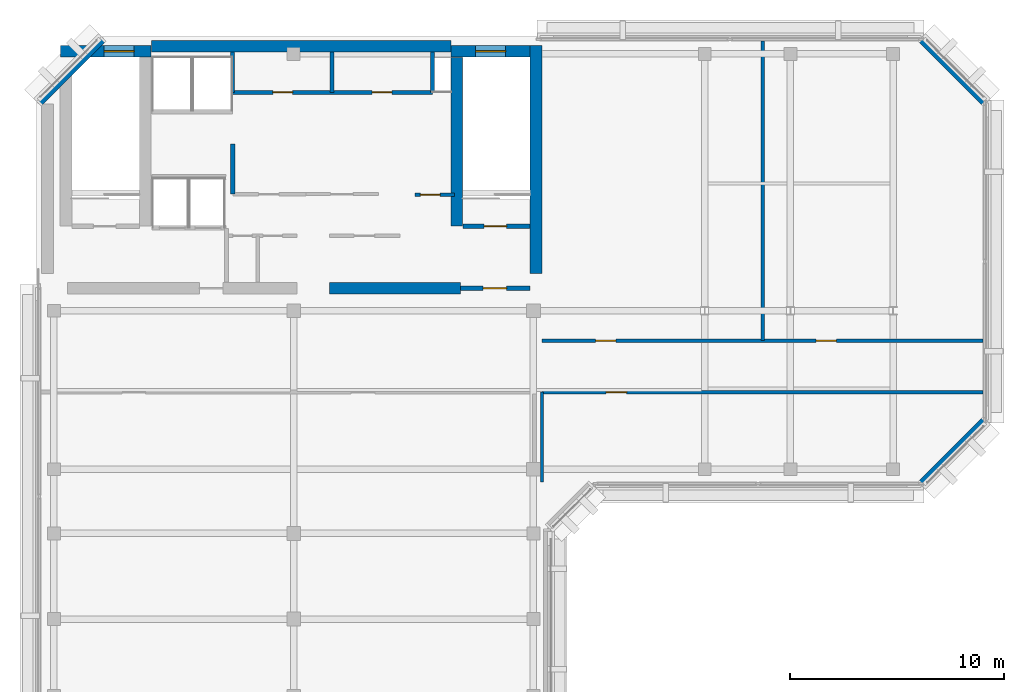
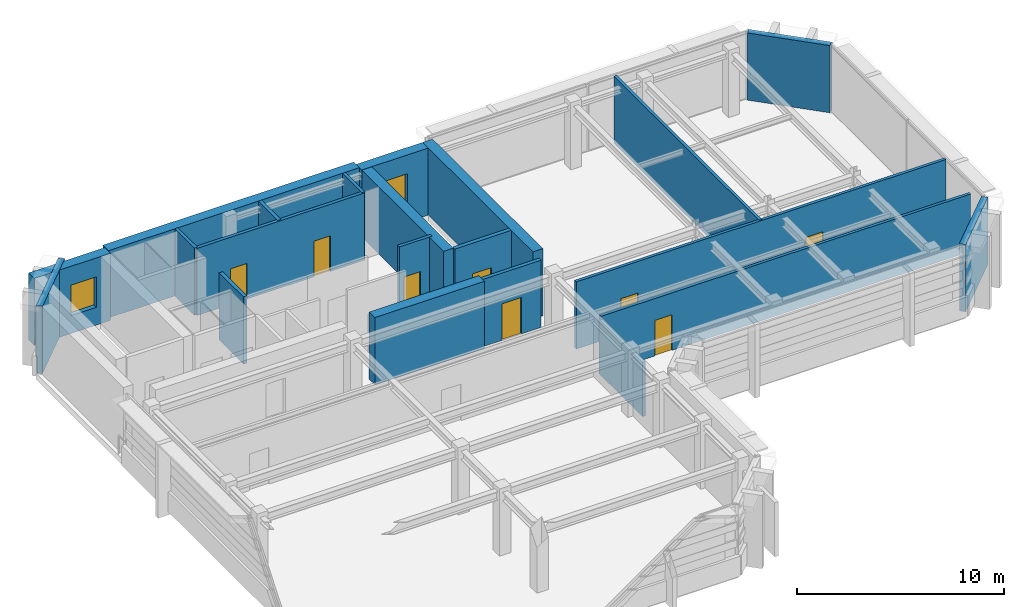
# One storey, part 5 of 7: 21 walls, 8 doors, 2 windows, 10 openings.
"""IFC4 building model written with IfcOpenShell, lengths in metres."""

from ifc_helpers import new_model, si_unit, direction, frame, frame_2d, origin, place, context, subcontext, project, spatial, rectangle, extrude, material, layer, layer_set, type_object, element, fill, save


model = new_model("IFC4")

# Units and contexts
model_context = context("Model", 3, precision=1e-05, world=origin(), true_north=direction((0.0, 1.0)))
body_context = subcontext(model_context, "Body", "Model", "MODEL_VIEW")
ifc_project = project(units=[si_unit("LENGTHUNIT", "METRE"), si_unit("AREAUNIT", "SQUARE_METRE"), si_unit("VOLUMEUNIT", "CUBIC_METRE"), si_unit("PLANEANGLEUNIT", "RADIAN"), si_unit("MASSUNIT", "GRAM", prefix="KILO")], contexts=[model_context])

# Site, building, storey
site_placement = place(None, origin())
site = spatial("IfcSite", under=ifc_project, at=site_placement, CompositionType="ELEMENT")
building_placement = place(site_placement, origin())
building = spatial("IfcBuilding", under=site, at=building_placement, Name="Kefirva Bronze Tower", CompositionType="ELEMENT")
storey_placement = place(building_placement, frame((0.0, 0.0, 369.929931640625)))
storey = spatial("IfcBuildingStorey", under=building, at=storey_placement, Name="L90", CompositionType="ELEMENT", Elevation=369.929931640625)

# Wall, opening, door
ifc_material_1 = material(Name="Gypsum fireboard shaftwall")
ifc_layer_1 = layer(ifc_material_1, 0.219970703125, Name="Gypsum fireboard shaftwall")
ifc_layer_set_1 = layer_set([ifc_layer_1], Name="Gypsum fireboard shaftwall")
wall_type_1 = type_object("IfcWallType", Name="Fire-Rated Shaft Enclosure Wall 220mm", PredefinedType="PARTITIONING", material=ifc_layer_set_1)
wall_1_placement = place(storey_placement, frame((19.89990234375, 37.14990234375, 0.0), z_axis=(0.0, 0.0, 1.0), x_axis=(1.0, 0.0, 0.0)))
wall_1 = element("IfcWall", 1, at=wall_1_placement, inside=storey, type_object=wall_type_1, Name="L90 Partition W-L90-ST2S", PredefinedType="PARTITIONING", context=body_context, shape_type="SweptSolid", body=[
    extrude(rectangle(XDim=3.150146484375, YDim=0.219970703125, at=frame_2d((1.5751953125, 0.0))), origin(), (0.0, 0.0, 1.0), 3.9599609375),
])
opening_1_placement = place(wall_1_placement, frame((2.050048828125, 0.0, 0.0), z_axis=(0.0, 0.0, 1.0), x_axis=(-1.0, 0.0, 0.0)))
opening_1 = element("IfcOpeningElement", 2, at=opening_1_placement, cuts=wall_1, Name="Opening L90-D003", PredefinedType="OPENING", context=body_context, shape_type="SweptSolid", body=[
    extrude(rectangle(XDim=1.050048828125, YDim=2.14990234375, at=frame_2d((0.52490234375, 1.074951171875))), frame((0.0, 0.1201171875, 0.0), z_axis=(0.0, -1.0, 0.0), x_axis=(1.0, 0.0, 0.0)), (0.0, 0.0, 1.0), 0.239990234375),
])
ifc_material_2 = material(Name="Painted galvanized steel", Category="steel")
door_type_1 = type_object("IfcDoorType", Name="Fire Stair Enclosure Door 1050x2150 FD90S", OperationType="NOTDEFINED", PredefinedType="DOOR", material=ifc_material_2)
door_1_placement = place(opening_1_placement, origin())
door_1 = element("IfcDoor", 3, at=door_1_placement, inside=storey, type_object=door_type_1, Name="Door L90-D003", OperationType="SINGLE_SWING_RIGHT", OverallHeight=2.14990234375, OverallWidth=1.050048828125, PredefinedType="DOOR", context=body_context, shape_type="SweptSolid", body=[
    extrude(rectangle(XDim=1.050048828125, YDim=2.14990234375, at=frame_2d((0.52490234375, 1.074951171875))), frame((0.0, 0.02490234375, 0.0), z_axis=(0.0, -1.0, 0.0), x_axis=(1.0, 0.0, 0.0)), (0.0, 0.0, 1.0), 0.050048828125),
])
fill(opening_1, door_1)

# Wall
wall_2_placement = place(storey_placement, frame((9.159912109375, 38.64990234375, 0.0), z_axis=(0.0, 0.0, 1.0), x_axis=(0.0, 1.0, 0.0)))
element("IfcWall", 4, at=wall_2_placement, inside=storey, type_object=wall_type_1, Name="L90 Partition W-L90-LP3W", PredefinedType="PARTITIONING", context=body_context, shape_type="SweptSolid", body=[
    extrude(rectangle(XDim=2.35009765625, YDim=0.199951171875, at=frame_2d((1.175048828125, 0.0))), origin(), (0.0, 0.0, 1.0), 3.9599609375),
])

# Wall, opening, door
ifc_material_3 = material(Name="Gypsum fireboard barrier")
ifc_layer_2 = layer(ifc_material_3, 0.199951171875, Name="Gypsum fireboard barrier")
ifc_layer_set_2 = layer_set([ifc_layer_2], Name="Gypsum fireboard barrier")
wall_type_2 = type_object("IfcWallType", Name="Firefighting Lobby Barrier Wall 200mm", PredefinedType="PARTITIONING", material=ifc_layer_set_2)
wall_3_placement = place(storey_placement, frame((19.800048828125, 34.25, 0.0), z_axis=(0.0, 0.0, 1.0), x_axis=(1.0, 0.0, 0.0)))
wall_3 = element("IfcWall", 5, at=wall_3_placement, inside=storey, type_object=wall_type_2, Name="L90 Partition W-L90-ST2F", PredefinedType="PARTITIONING", context=body_context, shape_type="SweptSolid", body=[
    extrude(rectangle(XDim=3.25, YDim=0.199951171875, at=frame_2d((1.625, 0.0))), origin(), (0.0, 0.0, 1.0), 3.9599609375),
])
opening_2_placement = place(wall_3_placement, frame((2.150146484375, 0.0, 0.0), z_axis=(0.0, 0.0, 1.0), x_axis=(-1.0, 0.0, 0.0)))
opening_2 = element("IfcOpeningElement", 6, at=opening_2_placement, cuts=wall_3, Name="Opening L90-D004", PredefinedType="OPENING", context=body_context, shape_type="SweptSolid", body=[
    extrude(rectangle(XDim=1.10009765625, YDim=2.14990234375, at=frame_2d((0.550048828125, 1.074951171875))), frame((0.0, 0.10986328125, 0.0), z_axis=(0.0, -1.0, 0.0), x_axis=(1.0, 0.0, 0.0)), (0.0, 0.0, 1.0), 0.219970703125),
])
door_type_2 = type_object("IfcDoorType", Name="Firefighting Lobby Smoke Door 1100x2150 FD60S", OperationType="NOTDEFINED", PredefinedType="DOOR", material=ifc_material_2)
door_2_placement = place(opening_2_placement, origin())
door_2 = element("IfcDoor", 7, at=door_2_placement, inside=storey, type_object=door_type_2, Name="Door L90-D004", OperationType="SINGLE_SWING_LEFT", OverallHeight=2.14990234375, OverallWidth=1.10009765625, PredefinedType="DOOR", context=body_context, shape_type="SweptSolid", body=[
    extrude(rectangle(XDim=1.10009765625, YDim=2.14990234375, at=frame_2d((0.550048828125, 1.074951171875))), frame((0.0, 0.02490234375, 0.0), z_axis=(0.0, -1.0, 0.0), x_axis=(1.0, 0.0, 0.0)), (0.0, 0.0, 1.0), 0.050048828125),
])
fill(opening_2, door_2)

wall_4_placement = place(storey_placement, frame((17.679931640625, 38.6201171875, 0.0), z_axis=(0.0, 0.0, 1.0), x_axis=(1.0, 0.0, 0.0)))
wall_4 = element("IfcWall", 8, at=wall_4_placement, inside=storey, type_object=wall_type_2, Name="L90 Partition W-L90-CPASS", PredefinedType="PARTITIONING", context=body_context, shape_type="SweptSolid", body=[
    extrude(rectangle(XDim=1.840087890625, YDim=0.179931640625, at=frame_2d((0.919921875, 0.0))), origin(), (0.0, 0.0, 1.0), 3.9599609375),
])
opening_3_placement = place(wall_4_placement, frame((0.239990234375, 0.0, 0.0)))
opening_3 = element("IfcOpeningElement", 9, at=opening_3_placement, cuts=wall_4, Name="Opening L90-D-CPAS", PredefinedType="OPENING", context=body_context, shape_type="SweptSolid", body=[
    extrude(rectangle(XDim=0.919921875, YDim=2.10009765625, at=frame_2d((0.4599609375, 1.050048828125))), frame((0.0, 0.10009765625, 0.0), z_axis=(0.0, -1.0, 0.0), x_axis=(1.0, 0.0, 0.0)), (0.0, 0.0, 1.0), 0.199951171875),
])
ifc_material_4 = material(Name="Moisture-resistant timber", Category="wood")
door_type_3 = type_object("IfcDoorType", Name="Accessible Sanitary & WC Door 920x2100", OperationType="NOTDEFINED", PredefinedType="DOOR", material=ifc_material_4)
door_3_placement = place(opening_3_placement, origin())
door_3 = element("IfcDoor", 10, at=door_3_placement, inside=storey, type_object=door_type_3, Name="Door L90-D-CPAS", OperationType="SINGLE_SWING_RIGHT", OverallHeight=2.10009765625, OverallWidth=0.919921875, PredefinedType="DOOR", context=body_context, shape_type="SweptSolid", body=[
    extrude(rectangle(XDim=0.919921875, YDim=2.10009765625, at=frame_2d((0.4599609375, 1.050048828125))), frame((0.0, 0.02490234375, 0.0), z_axis=(0.0, -1.0, 0.0), x_axis=(1.0, 0.0, 0.0)), (0.0, 0.0, 1.0), 0.050048828125),
])
fill(opening_3, door_3)

# Walls
ifc_material_5 = material(Name="Precast concrete C40/50", Category="concrete")
ifc_layer_3 = layer(ifc_material_5, 0.320068359375, Name="Precast concrete C40/50")
ifc_layer_set_3 = layer_set([ifc_layer_3], Name="Precast concrete C40/50")
wall_type_3 = type_object("IfcWallType", Name="Precast Insulated Exterior Wall 320mm", PredefinedType="SOLIDWALL", material=ifc_layer_set_3)
for number, where, z_axis, x_axis, name in (
    (11, (41.32568359375, 25.152099609375, 0.0), (0.0, 0.0, 1.0), (0.707136318428, 0.707077242712, 0.0), "L90 Exterior Facade Wall 4"),
    (12, (44.248046875, 42.92578125, 0.0), (0.0, 0.0, 1.0), (-0.707136318428, 0.707077242712, 0.0), "L90 Exterior Facade Wall 5"),
    (13, (3.07421875, 45.847900390625, 0.0), (0.0, 0.0, 1.0), (-0.707106781187, -0.707106781187, 0.0), "L90 Exterior Facade Wall 6"),
):
    element("IfcWall", number, at=place(storey_placement, frame(where, z_axis=z_axis, x_axis=x_axis)), inside=storey, type_object=wall_type_3, Name=name, PredefinedType="SOLIDWALL", context=body_context, shape_type="SweptSolid", body=[
        extrude(rectangle(XDim=4.132568359375, YDim=0.320068359375, at=frame_2d((2.06640625, 0.0))), origin(), (0.0, 0.0, 1.0), 3.9599609375),
    ])

# Wall, openings, doors
ifc_material_6 = material(Name="Gypsum acoustic partition")
ifc_layer_4 = layer(ifc_material_6, 0.159912109375, Name="Gypsum acoustic partition")
ifc_layer_set_4 = layer_set([ifc_layer_4], Name="Gypsum acoustic partition")
wall_type_4 = type_object("IfcWallType", Name="Protected Corridor Partition 160mm", PredefinedType="PARTITIONING", material=ifc_layer_set_4)
wall_5_placement = place(storey_placement, frame((23.60009765625, 31.800048828125, 0.0), z_axis=(0.0, 0.0, 1.0), x_axis=(1.0, 0.0, 0.0)))
wall_5 = element("IfcWall", 14, at=wall_5_placement, inside=storey, type_object=wall_type_4, Name="L90 Partition W-L90-PLTE", PredefinedType="PARTITIONING", context=body_context, shape_type="SweptSolid", body=[
    extrude(rectangle(XDim=20.60986328125, YDim=0.159912109375, at=frame_2d((10.304931640625, 0.0))), origin(), (0.0, 0.0, 1.0), 3.9599609375),
])
opening_4_placement = place(wall_5_placement, frame((2.5, 0.0, 0.0)))
opening_4 = element("IfcOpeningElement", 15, at=opening_4_placement, cuts=wall_5, Name="Opening L90-D-AHU", PredefinedType="OPENING", context=body_context, shape_type="SweptSolid", body=[
    extrude(rectangle(XDim=0.949951171875, YDim=2.10009765625, at=frame_2d((0.47509765625, 1.050048828125))), frame((0.0, 0.08984375, 0.0), z_axis=(0.0, -1.0, 0.0), x_axis=(1.0, 0.0, 0.0)), (0.0, 0.0, 1.0), 0.179931640625),
])
opening_5_placement = place(wall_5_placement, frame((12.804931640625, 0.0, 0.0)))
opening_5 = element("IfcOpeningElement", 16, at=opening_5_placement, cuts=wall_5, Name="Opening L90-D-ELP", PredefinedType="OPENING", context=body_context, shape_type="SweptSolid", body=[
    extrude(rectangle(XDim=0.949951171875, YDim=2.10009765625, at=frame_2d((0.47509765625, 1.050048828125))), frame((0.0, 0.08984375, 0.0), z_axis=(0.0, -1.0, 0.0), x_axis=(1.0, 0.0, 0.0)), (0.0, 0.0, 1.0), 0.179931640625),
])
door_type_4 = type_object("IfcDoorType", Name="Riser & Plant Shaft Fire Door 950x2100 FD60S", OperationType="NOTDEFINED", PredefinedType="DOOR", material=ifc_material_2)
door_4_placement = place(opening_4_placement, origin())
door_4 = element("IfcDoor", 17, at=door_4_placement, inside=storey, type_object=door_type_4, Name="Door L90-D-AHU", OperationType="SINGLE_SWING_RIGHT", OverallHeight=2.10009765625, OverallWidth=0.949951171875, PredefinedType="DOOR", context=body_context, shape_type="SweptSolid", body=[
    extrude(rectangle(XDim=0.949951171875, YDim=2.10009765625, at=frame_2d((0.47509765625, 1.050048828125))), frame((0.0, 0.02490234375, 0.0), z_axis=(0.0, -1.0, 0.0), x_axis=(1.0, 0.0, 0.0)), (0.0, 0.0, 1.0), 0.050048828125),
])
fill(opening_4, door_4)
door_5_placement = place(opening_5_placement, origin())
door_5 = element("IfcDoor", 18, at=door_5_placement, inside=storey, type_object=door_type_4, Name="Door L90-D-ELP", OperationType="SINGLE_SWING_LEFT", OverallHeight=2.10009765625, OverallWidth=0.949951171875, PredefinedType="DOOR", context=body_context, shape_type="SweptSolid", body=[
    extrude(rectangle(XDim=0.949951171875, YDim=2.10009765625, at=frame_2d((0.47509765625, 1.050048828125))), frame((0.0, 0.02490234375, 0.0), z_axis=(0.0, -1.0, 0.0), x_axis=(1.0, 0.0, 0.0)), (0.0, 0.0, 1.0), 0.050048828125),
])
fill(opening_5, door_5)

# Wall
wall_6_placement = place(storey_placement, frame((33.905029296875, 31.800048828125, 0.0), z_axis=(0.0, 0.0, 1.0), x_axis=(0.0, 1.0, 0.0)))
element("IfcWall", 19, at=wall_6_placement, inside=storey, type_object=wall_type_4, Name="L90 Partition W-L90-PLTDV", PredefinedType="PARTITIONING", context=body_context, shape_type="SweptSolid", body=[
    extrude(rectangle(XDim=14.010009765625, YDim=0.159912109375, at=frame_2d((7.0048828125, 0.0))), origin(), (0.0, 0.0, 1.0), 3.9599609375),
])

# Wall, opening, door
wall_7_placement = place(storey_placement, frame((23.60009765625, 29.39990234375, 0.0), z_axis=(0.0, 0.0, 1.0), x_axis=(1.0, 0.0, 0.0)))
wall_7 = element("IfcWall", 20, at=wall_7_placement, inside=storey, type_object=wall_type_4, Name="L90 Partition W-L90-PLTS", PredefinedType="PARTITIONING", context=body_context, shape_type="SweptSolid", body=[
    extrude(rectangle(XDim=20.60986328125, YDim=0.159912109375, at=frame_2d((10.304931640625, 0.0))), origin(), (0.0, 0.0, 1.0), 3.385009765625),
])
opening_6_placement = place(wall_7_placement, frame((3.0, 0.0, 0.0)))
opening_6 = element("IfcOpeningElement", 21, at=opening_6_placement, cuts=wall_7, Name="Opening L90-D-BMS", PredefinedType="OPENING", context=body_context, shape_type="SweptSolid", body=[
    extrude(rectangle(XDim=0.949951171875, YDim=2.10009765625, at=frame_2d((0.47509765625, 1.050048828125))), frame((0.0, 0.08984375, 0.0), z_axis=(0.0, -1.0, 0.0), x_axis=(1.0, 0.0, 0.0)), (0.0, 0.0, 1.0), 0.179931640625),
])
door_6_placement = place(opening_6_placement, origin())
door_6 = element("IfcDoor", 22, at=door_6_placement, inside=storey, type_object=door_type_4, Name="Door L90-D-BMS", OperationType="SINGLE_SWING_RIGHT", OverallHeight=2.10009765625, OverallWidth=0.949951171875, PredefinedType="DOOR", context=body_context, shape_type="SweptSolid", body=[
    extrude(rectangle(XDim=0.949951171875, YDim=2.10009765625, at=frame_2d((0.47509765625, 1.050048828125))), frame((0.0, 0.02490234375, 0.0), z_axis=(0.0, -1.0, 0.0), x_axis=(1.0, 0.0, 0.0)), (0.0, 0.0, 1.0), 0.050048828125),
])
fill(opening_6, door_6)

# Walls
wall_8_placement = place(storey_placement, frame((23.60009765625, 25.18994140625, 0.0), z_axis=(0.0, 0.0, 1.0), x_axis=(0.0, 1.0, 0.0)))
element("IfcWall", 23, at=wall_8_placement, inside=storey, type_object=wall_type_4, Name="L90 Partition W-L90-PLTSW", PredefinedType="PARTITIONING", context=body_context, shape_type="SweptSolid", body=[
    extrude(rectangle(XDim=4.2099609375, YDim=0.159912109375, at=frame_2d((2.10498046875, 0.0))), origin(), (0.0, 0.0, 1.0), 3.18505859375),
])
ifc_material_7 = material(Name="Concrete C50/60", Category="concrete")
ifc_layer_5 = layer(ifc_material_7, 0.550048828125, Name="Concrete C50/60")
ifc_layer_set_5 = layer_set([ifc_layer_5], Name="Concrete C50/60")
wall_type_5 = type_object("IfcWallType", Name="RC Rear Core Exterior Wall 550mm", PredefinedType="SHEAR", material=ifc_layer_set_5)
wall_9_placement = place(storey_placement, frame((5.360107421875, 45.550048828125, 0.0), z_axis=(0.0, 0.0, 1.0), x_axis=(1.0, 0.0, 0.0)))
element("IfcWall", 24, at=wall_9_placement, inside=storey, type_object=wall_type_5, Name="L90 Rear Core North Shear Wall", PredefinedType="SHEAR", context=body_context, shape_type="SweptSolid", body=[
    extrude(rectangle(XDim=13.97998046875, YDim=0.550048828125, at=frame_2d((6.989990234375, 0.0))), origin(), (0.0, 0.0, 1.0), 3.9599609375),
])

# Wall, opening, window
wall_10_placement = place(storey_placement, frame((1.10009765625, 45.320068359375, 0.0), z_axis=(0.0, 0.0, 1.0), x_axis=(1.0, 0.0, 0.0)))
wall_10 = element("IfcWall", 25, at=wall_10_placement, inside=storey, type_object=wall_type_5, Name="L90 Stair 1 North Shear Wall", PredefinedType="SHEAR", context=body_context, shape_type="SweptSolid", body=[
    extrude(rectangle(XDim=4.239990234375, YDim=0.550048828125, at=frame_2d((2.1201171875, 0.0))), origin(), (0.0, 0.0, 1.0), 3.9599609375),
])
opening_7_placement = place(wall_10_placement, frame((2.050048828125, 0.0, 1.050048828125)))
opening_7 = element("IfcOpeningElement", 26, at=opening_7_placement, cuts=wall_10, Name="Opening WN-03", PredefinedType="OPENING", context=body_context, shape_type="SweptSolid", body=[
    extrude(rectangle(XDim=1.39990234375, YDim=1.800048828125, at=frame_2d((0.699951171875, 0.89990234375))), frame((0.0, 0.28515625, 0.0), z_axis=(0.0, -1.0, 0.0), x_axis=(1.0, 0.0, 0.0)), (0.0, 0.0, 1.0), 0.570068359375),
])
ifc_material_8 = material(Name="Laminated low-E double glazing", Category="glass")
window_type = type_object("IfcWindowType", Name="Rear-Core Stair Daylight Window 1400x1800", PartitioningType="SINGLE_PANEL", PredefinedType="WINDOW", material=ifc_material_8)
window_1_placement = place(opening_7_placement, origin())
window_1 = element("IfcWindow", 27, at=window_1_placement, inside=storey, type_object=window_type, Name="L90 Stair 1 Daylight Window", OverallHeight=1.800048828125, OverallWidth=1.39990234375, PartitioningType="SINGLE_PANEL", PredefinedType="WINDOW", context=body_context, shape_type="SweptSolid", body=[
    extrude(rectangle(XDim=1.39990234375, YDim=1.800048828125, at=frame_2d((0.699951171875, 0.89990234375))), frame((0.0, 0.030029296875, 0.0), z_axis=(0.0, -1.0, 0.0), x_axis=(1.0, 0.0, 0.0)), (0.0, 0.0, 1.0), 0.06005859375),
])
fill(opening_7, window_1)

wall_11_placement = place(storey_placement, frame((19.35009765625, 45.320068359375, 0.0), z_axis=(0.0, 0.0, 1.0), x_axis=(1.0, 0.0, 0.0)))
wall_11 = element("IfcWall", 28, at=wall_11_placement, inside=storey, type_object=wall_type_5, Name="L90 Stair 2 North Shear Wall", PredefinedType="SHEAR", context=body_context, shape_type="SweptSolid", body=[
    extrude(rectangle(XDim=3.68994140625, YDim=0.550048828125, at=frame_2d((1.844970703125, 0.0))), origin(), (0.0, 0.0, 1.0), 3.9599609375),
])
opening_8_placement = place(wall_11_placement, frame((1.14990234375, 0.0, 1.050048828125)))
opening_8 = element("IfcOpeningElement", 29, at=opening_8_placement, cuts=wall_11, Name="Opening WN-03", PredefinedType="OPENING", context=body_context, shape_type="SweptSolid", body=[
    extrude(rectangle(XDim=1.39990234375, YDim=1.800048828125, at=frame_2d((0.699951171875, 0.89990234375))), frame((0.0, 0.28515625, 0.0), z_axis=(0.0, -1.0, 0.0), x_axis=(1.0, 0.0, 0.0)), (0.0, 0.0, 1.0), 0.570068359375),
])
window_2_placement = place(opening_8_placement, origin())
window_2 = element("IfcWindow", 30, at=window_2_placement, inside=storey, type_object=window_type, Name="L90 Stair 2 Daylight Window", OverallHeight=1.800048828125, OverallWidth=1.39990234375, PartitioningType="SINGLE_PANEL", PredefinedType="WINDOW", context=body_context, shape_type="SweptSolid", body=[
    extrude(rectangle(XDim=1.39990234375, YDim=1.800048828125, at=frame_2d((0.699951171875, 0.89990234375))), frame((0.0, 0.030029296875, 0.0), z_axis=(0.0, -1.0, 0.0), x_axis=(1.0, 0.0, 0.0)), (0.0, 0.0, 1.0), 0.06005859375),
])
fill(opening_8, window_2)

# Walls
ifc_layer_6 = layer(ifc_material_7, 0.550048828125, Name="Concrete C50/60")
ifc_layer_set_6 = layer_set([ifc_layer_6], Name="Concrete C50/60")
wall_type_6 = type_object("IfcWallType", Name="RC Rear Core Interior Wall 550mm", PredefinedType="SHEAR", material=ifc_layer_set_6)
wall_12_placement = place(storey_placement, frame((23.324951171875, 34.949951171875, 0.0), z_axis=(0.0, 0.0, 1.0), x_axis=(0.0, 1.0, 0.0)))
element("IfcWall", 31, at=wall_12_placement, inside=storey, type_object=wall_type_6, Name="L90 Rear Core East Shear Wall", PredefinedType="SHEAR", context=body_context, shape_type="SweptSolid", body=[
    extrude(rectangle(XDim=10.64013671875, YDim=0.550048828125, at=frame_2d((5.320068359375, 0.0))), origin(), (0.0, 0.0, 1.0), 3.9599609375),
])
wall_13_placement = place(storey_placement, frame((13.679931640625, 34.25, 0.0), z_axis=(0.0, 0.0, 1.0), x_axis=(1.0, 0.0, 0.0)))
element("IfcWall", 32, at=wall_13_placement, inside=storey, type_object=wall_type_6, Name="L90 Rear Core South-East Shear Wall", PredefinedType="SHEAR", context=body_context, shape_type="SweptSolid", body=[
    extrude(rectangle(XDim=6.1201171875, YDim=0.550048828125, at=frame_2d((3.06005859375, 0.0))), origin(), (0.0, 0.0, 1.0), 3.9599609375),
])
wall_14_placement = place(storey_placement, frame((19.6201171875, 37.14990234375, 0.0), z_axis=(0.0, 0.0, 1.0), x_axis=(0.0, 1.0, 0.0)))
element("IfcWall", 33, at=wall_14_placement, inside=storey, type_object=wall_type_6, Name="L90 Stair 2 West Shear Wall", PredefinedType="SHEAR", context=body_context, shape_type="SweptSolid", body=[
    extrude(rectangle(XDim=7.89013671875, YDim=0.550048828125, at=frame_2d((3.945068359375, 0.0))), origin(), (0.0, 0.0, 1.0), 3.9599609375),
])

# Wall, openings, doors
ifc_material_9 = material(Name="Moisture-resistant partition")
ifc_layer_7 = layer(ifc_material_9, 0.179931640625, Name="Moisture-resistant partition")
ifc_layer_set_7 = layer_set([ifc_layer_7], Name="Moisture-resistant partition")
wall_type_7 = type_object("IfcWallType", Name="Sanitary Plumbing Chase Wall 180mm", PredefinedType="PLUMBINGWALL", material=ifc_layer_set_7)
wall_15_placement = place(storey_placement, frame((9.14990234375, 43.39990234375, 0.0), z_axis=(0.0, 0.0, 1.0), x_axis=(1.0, 0.0, 0.0)))
wall_15 = element("IfcWall", 34, at=wall_15_placement, inside=storey, type_object=wall_type_7, Name="L90 Partition W-L90-SVCS", PredefinedType="PLUMBINGWALL", context=body_context, shape_type="SweptSolid", body=[
    extrude(rectangle(XDim=9.330078125, YDim=0.179931640625, at=frame_2d((4.6650390625, 0.0))), origin(), (0.0, 0.0, 1.0), 3.9599609375),
])
opening_9_placement = place(wall_15_placement, frame((1.8798828125, 0.0, 0.0)))
opening_9 = element("IfcOpeningElement", 35, at=opening_9_placement, cuts=wall_15, Name="Opening L90-D-CSVC1", PredefinedType="OPENING", context=body_context, shape_type="SweptSolid", body=[
    extrude(rectangle(XDim=0.919921875, YDim=2.10009765625, at=frame_2d((0.4599609375, 1.050048828125))), frame((0.0, 0.10009765625, 0.0), z_axis=(0.0, -1.0, 0.0), x_axis=(1.0, 0.0, 0.0)), (0.0, 0.0, 1.0), 0.199951171875),
])
opening_10_placement = place(wall_15_placement, frame((6.514892578125, 0.0, 0.0)))
opening_10 = element("IfcOpeningElement", 36, at=opening_10_placement, cuts=wall_15, Name="Opening L90-D-CSVC2", PredefinedType="OPENING", context=body_context, shape_type="SweptSolid", body=[
    extrude(rectangle(XDim=0.919921875, YDim=2.10009765625, at=frame_2d((0.4599609375, 1.050048828125))), frame((0.0, 0.10009765625, 0.0), z_axis=(0.0, -1.0, 0.0), x_axis=(1.0, 0.0, 0.0)), (0.0, 0.0, 1.0), 0.199951171875),
])
door_7_placement = place(opening_9_placement, origin())
door_7 = element("IfcDoor", 37, at=door_7_placement, inside=storey, type_object=door_type_3, Name="Door L90-D-CSVC1", OperationType="SINGLE_SWING_RIGHT", OverallHeight=2.10009765625, OverallWidth=0.919921875, PredefinedType="DOOR", context=body_context, shape_type="SweptSolid", body=[
    extrude(rectangle(XDim=0.919921875, YDim=2.10009765625, at=frame_2d((0.4599609375, 1.050048828125))), frame((0.0, 0.02490234375, 0.0), z_axis=(0.0, -1.0, 0.0), x_axis=(1.0, 0.0, 0.0)), (0.0, 0.0, 1.0), 0.050048828125),
])
fill(opening_9, door_7)
door_8_placement = place(opening_10_placement, origin())
door_8 = element("IfcDoor", 38, at=door_8_placement, inside=storey, type_object=door_type_3, Name="Door L90-D-CSVC2", OperationType="SINGLE_SWING_LEFT", OverallHeight=2.10009765625, OverallWidth=0.919921875, PredefinedType="DOOR", context=body_context, shape_type="SweptSolid", body=[
    extrude(rectangle(XDim=0.919921875, YDim=2.10009765625, at=frame_2d((0.4599609375, 1.050048828125))), frame((0.0, 0.02490234375, 0.0), z_axis=(0.0, -1.0, 0.0), x_axis=(1.0, 0.0, 0.0)), (0.0, 0.0, 1.0), 0.050048828125),
])
fill(opening_10, door_8)

# Walls
for number, where, z_axis, x_axis, name in (
    (39, (9.14990234375, 43.39990234375, 0.0), (0.0, 0.0, 1.0), (0.0, 1.0, 0.0), "L90 Partition W-L90-SVCW"),
    (40, (18.47998046875, 43.39990234375, 0.0), (0.0, 0.0, 1.0), (0.0, 1.0, 0.0), "L90 Partition W-L90-SVCE"),
    (41, (13.800048828125, 43.39990234375, 0.0), (0.0, 0.0, 1.0), (0.0, 1.0, 0.0), "L90 Partition W-L90-CSVD-1"),
):
    element("IfcWall", number, at=place(storey_placement, frame(where, z_axis=z_axis, x_axis=x_axis)), inside=storey, type_object=wall_type_7, Name=name, PredefinedType="PLUMBINGWALL", context=body_context, shape_type="SweptSolid", body=[
        extrude(rectangle(XDim=1.880126953125, YDim=0.179931640625, at=frame_2d((0.93994140625, 0.0))), origin(), (0.0, 0.0, 1.0), 3.9599609375),
    ])

save(model, "model.ifc")
